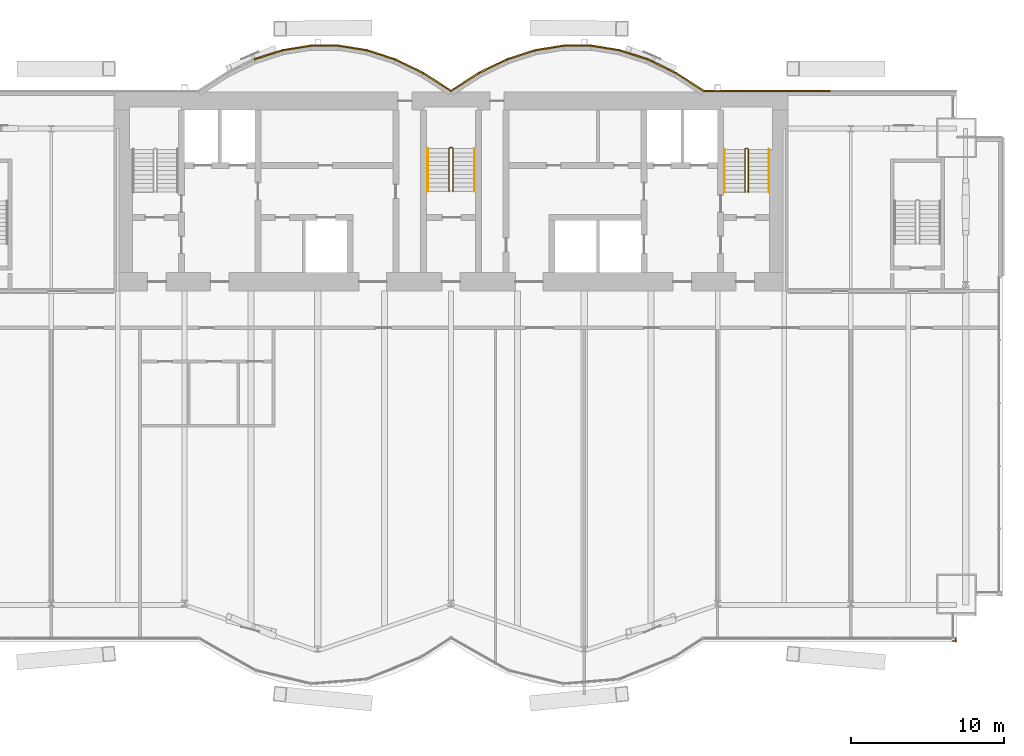
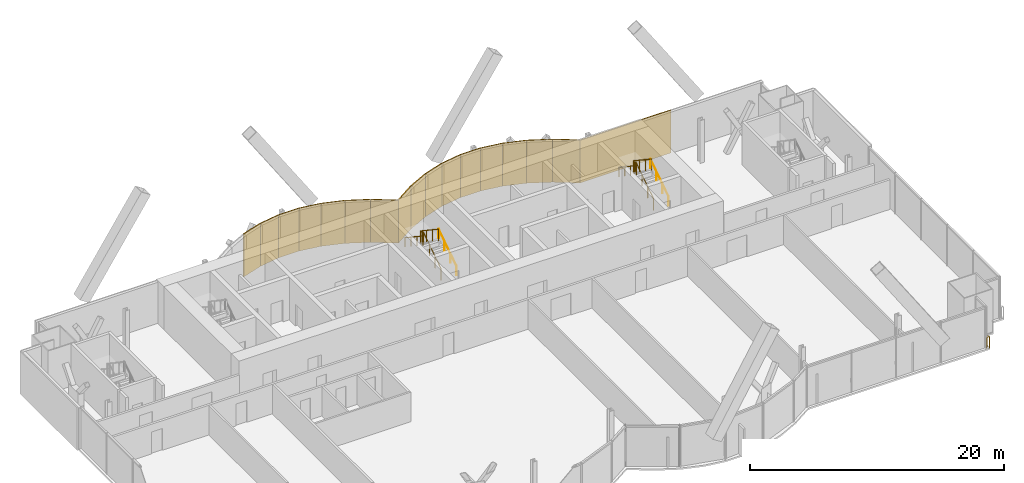
# One storey, part 21 of 22: 17 coverings, 7 railings.
"""IFC4 building model written with IfcOpenShell, lengths in metres."""

import ifcopenshell
import ifcopenshell.guid

model = None  # the IFC model being written
_history = None  # IfcOwnerHistory: only IFC2X3 demands one
_inside = {}  # id of a spatial element -> (the spatial element, [elements in it])
_under = {}  # id of a project, library or spatial element -> (it, [spatial elements below it])
_declared = {}  # id of a project -> (the project, [libraries it declares])
_typed = {}  # id of a type object -> (the type object, [elements of that type])
_made_of = {}  # id of a material, layer set ... -> (it, [elements and type objects made of it])


def new_model(schema):
    """Start an empty IFC model of exactly this schema.

    Asked for "IFC4X3", IfcOpenShell would pick the latest addendum, in which some entities
    have other attributes; the version numbers below select the first issue.
    IFC2X3 requires an IfcOwnerHistory on every rooted entity: one is made here for all.
    """
    global model, _history
    if schema == "IFC4X3":
        model = ifcopenshell.file(schema_version=(4, 3, 0, 0))
    else:
        model = ifcopenshell.file(schema=schema)
    _inside.clear()
    _under.clear()
    _declared.clear()
    _typed.clear()
    _made_of.clear()
    _history = None
    if model.schema == "IFC2X3":
        org = make("IfcOrganization", Name="unknown")
        user = make(
            "IfcPersonAndOrganization",
            ThePerson=make("IfcPerson", FamilyName="unknown"),
            TheOrganization=org,
        )
        app = make(
            "IfcApplication",
            ApplicationDeveloper=org,
            Version="unknown",
            ApplicationFullName="unknown",
            ApplicationIdentifier="unknown",
        )
        _history = make(
            "IfcOwnerHistory",
            OwningUser=user,
            OwningApplication=app,
            ChangeAction="ADDED",
            CreationDate=0,
        )
    return model


def make(cls, **values):
    """One entity of the class cls with the attributes given. An attribute that is None is left unset."""
    return model.create_entity(
        cls, **{name: value for name, value in values.items() if value is not None}
    )


def rooted(cls, **values):
    """An entity with a GlobalId (a new one), such as an element, a storey or a relation."""
    return make(cls, GlobalId=ifcopenshell.guid.new(), OwnerHistory=_history, **values)


def si_unit(unit_type, name, prefix=None):
    """IfcSIUnit, for example si_unit("LENGTHUNIT", "METRE", prefix="MILLI")."""
    return make("IfcSIUnit", UnitType=unit_type, Prefix=prefix, Name=name)


def assignment(units):
    """IfcUnitAssignment: the units of a project."""
    return None if units is None else make("IfcUnitAssignment", Units=units)


def point(xyz):
    """IfcCartesianPoint."""
    return None if xyz is None else make("IfcCartesianPoint", Coordinates=xyz)


def direction(xyz):
    """IfcDirection."""
    return None if xyz is None else make("IfcDirection", DirectionRatios=xyz)


def frame(location, z_axis=None, x_axis=None):
    """IfcAxis2Placement3D, a coordinate frame: its origin and axes. An axis left out is left unset."""
    return make(
        "IfcAxis2Placement3D",
        Location=point(location),
        Axis=direction(z_axis),
        RefDirection=direction(x_axis),
    )


def frame_2d(location, x_axis=None):
    """IfcAxis2Placement2D, a coordinate frame in the plane: its origin and x axis."""
    return make(
        "IfcAxis2Placement2D", Location=point(location), RefDirection=direction(x_axis)
    )


def origin():
    """The frame at (0, 0, 0) with its axes left unset."""
    return frame((0.0, 0.0, 0.0))


def origin_2d():
    """The frame at (0, 0) in the plane with its x axis left unset."""
    return frame_2d((0.0, 0.0))


def place(relative_to, where):
    """IfcLocalPlacement: puts the frame where relative to a parent placement (None: the world)."""
    return make(
        "IfcLocalPlacement", PlacementRelTo=relative_to, RelativePlacement=where
    )


def context(
    kind, dimensions, precision=None, world=None, true_north=None, identifier=None
):
    """IfcGeometricRepresentationContext, for example the 3D "Model" context."""
    return make(
        "IfcGeometricRepresentationContext",
        ContextIdentifier=identifier,
        ContextType=kind,
        CoordinateSpaceDimension=dimensions,
        Precision=precision,
        WorldCoordinateSystem=world,
        TrueNorth=true_north,
    )


def subcontext(parent, identifier, kind, view, scale=None):
    """IfcGeometricRepresentationSubContext, for example "Body" below "Model"."""
    return make(
        "IfcGeometricRepresentationSubContext",
        ContextIdentifier=identifier,
        ContextType=kind,
        ParentContext=parent,
        TargetScale=scale,
        TargetView=view,
    )


def project(units=None, contexts=None):
    """IfcProject with its units and contexts."""
    return rooted(
        "IfcProject",
        Name="project",
        RepresentationContexts=contexts,
        UnitsInContext=assignment(units),
    )


def spatial(cls, under=None, at=None, **own):
    """A site, building, storey or space (cls), placed at a placement, below another one or the project."""
    s = rooted(cls, ObjectPlacement=at, **own)
    if under is not None:
        _under.setdefault(under.id(), (under, []))[1].append(s)
    return s


def profile(cls, at=None, kind="AREA", **sizes):
    """A parametric profile (cls). Its sizes go by their IFC names, for example OverallWidth=200.0."""
    return make(cls, ProfileType=kind, Position=at, **sizes)


def rectangle(**sizes):
    """IfcRectangleProfileDef."""
    return profile("IfcRectangleProfileDef", **sizes)


def circle(**sizes):
    """IfcCircleProfileDef."""
    return profile("IfcCircleProfileDef", **sizes)


def extrude(swept, where, along, depth):
    """IfcExtrudedAreaSolid: the profile swept, set in the frame where, extruded along a direction by depth."""
    return make(
        "IfcExtrudedAreaSolid",
        SweptArea=swept,
        Position=where,
        ExtrudedDirection=direction(along),
        Depth=depth,
    )


def shape(context_of_items, identifier, shape_type, items):
    """IfcShapeRepresentation: the items that make up one representation, for example the "Body"."""
    return make(
        "IfcShapeRepresentation",
        ContextOfItems=context_of_items,
        RepresentationIdentifier=identifier,
        RepresentationType=shape_type,
        Items=items,
    )


def material(Name=None, Category=None):
    """IfcMaterial."""
    return make("IfcMaterial", Name=Name, Category=Category)


def layer(
    of_material, thickness, ventilated=None, Name=None, Category=None, Priority=None
):
    """IfcMaterialLayer: one layer of a wall or slab, of a material (None: an air gap)."""
    return make(
        "IfcMaterialLayer",
        Material=of_material,
        LayerThickness=thickness,
        IsVentilated=ventilated,
        Name=Name,
        Category=Category,
        Priority=Priority,
    )


def layer_set(layers, Name=None):
    """IfcMaterialLayerSet."""
    return make("IfcMaterialLayerSet", MaterialLayers=layers, LayerSetName=Name)


def made_of(thing, what):
    """Note that an element or type object is made of a material, layer set ...; save() writes the relation."""
    if what is not None:
        _made_of.setdefault(what.id(), (what, []))[1].append(thing)
    return thing


def type_object(cls, material=None, **own):
    """A type object (cls), such as IfcWallType, which elements share."""
    return made_of(rooted(cls, **own), material)


def element(
    cls,
    number,
    at=None,
    inside=None,
    cuts=None,
    type_object=None,
    material=None,
    context=None,
    identifier="Body",
    shape_type=None,
    held_by="IfcProductDefinitionShape",
    body=None,
    shapes=None,
    **own,
):
    """One element of the class cls, such as IfcWall. Its Tag is "e" and its number.

    at: its placement. inside: the storey or other place that contains it. cuts: it is an
    opening in that element (IfcRelVoidsElement). A single representation is given by context,
    identifier, shape_type and body (its items); several are given by shapes. held_by: the class
    of the entity that holds the representations. save() writes the other relations.
    """
    e = rooted(cls, Tag="e%d" % number, ObjectPlacement=at, **own)
    if body is not None:
        shapes = [shape(context, identifier, shape_type, body)]
    if shapes is not None:
        e.Representation = make(held_by, Representations=shapes)
    if inside is not None:
        _inside.setdefault(inside.id(), (inside, []))[1].append(e)
    if cuts is not None:
        rooted(
            "IfcRelVoidsElement", RelatingBuildingElement=cuts, RelatedOpeningElement=e
        )
    if type_object is not None:
        _typed.setdefault(type_object.id(), (type_object, []))[1].append(e)
    return made_of(e, material)


def aggregate(whole, parts):
    """IfcRelAggregates: a whole, such as a stair, and the parts it consists of."""
    return rooted("IfcRelAggregates", RelatingObject=whole, RelatedObjects=parts)


def save(model, path):
    """Write the relations noted so far, then the file.

    IfcRelAggregates (storeys below a building ...), IfcRelContainedInSpatialStructure (elements
    in a storey), IfcRelDefinesByType, IfcRelAssociatesMaterial and IfcRelDeclares: one each for
    every whole, place, type object, material and project.
    """
    for whole, parts in _under.values():
        aggregate(whole, parts)
    for where, things in _inside.values():
        rooted(
            "IfcRelContainedInSpatialStructure",
            RelatedElements=things,
            RelatingStructure=where,
        )
    for kind, things in _typed.values():
        rooted("IfcRelDefinesByType", RelatedObjects=things, RelatingType=kind)
    for what, things in _made_of.values():
        rooted("IfcRelAssociatesMaterial", RelatedObjects=things, RelatingMaterial=what)
    for by, libraries in _declared.values():
        rooted("IfcRelDeclares", RelatingContext=by, RelatedDefinitions=libraries)
    model.write(path)


model = new_model("IFC4")

# Units and contexts
model_context = context("Model", 3, precision=1e-05, world=origin(), true_north=direction((0.0, 1.0)))
body_context = subcontext(model_context, "Body", "Model", "MODEL_VIEW")
ifc_project = project(units=[si_unit("LENGTHUNIT", "METRE"), si_unit("AREAUNIT", "SQUARE_METRE"), si_unit("VOLUMEUNIT", "CUBIC_METRE"), si_unit("PLANEANGLEUNIT", "RADIAN"), si_unit("MASSUNIT", "GRAM", prefix="KILO")], contexts=[model_context])

# Site, building, storey
site_placement = place(None, origin())
site = spatial("IfcSite", under=ifc_project, at=site_placement, CompositionType="ELEMENT")
building_placement = place(site_placement, origin())
building = spatial("IfcBuilding", under=site, at=building_placement, Name="Bicima Exchange Tower", CompositionType="ELEMENT")
storey_placement = place(building_placement, frame((0.0, 0.0, 144.5)))
storey = spatial("IfcBuildingStorey", under=building, at=storey_placement, Name="L31", CompositionType="ELEMENT", Elevation=144.5)

# Coverings
ifc_material_1 = material(Name="Bronze metal cladding")
ifc_layer_1 = layer(ifc_material_1, 0.004)
ifc_material_2 = material(Name="Ventilated cavity")
ifc_layer_2 = layer(ifc_material_2, 0.06)
ifc_material_3 = material(Name="Galvanised steel rail and mineral wool", Category="steel")
ifc_layer_3 = layer(ifc_material_3, 0.036)
ifc_layer_set = layer_set([ifc_layer_1, ifc_layer_2, ifc_layer_3], Name="Ventilated cavity")
covering_type = type_object("IfcCoveringType", Name="Bronze metal cladding panel 100", PredefinedType="CLADDING", material=ifc_layer_set)
covering_1_placement = place(storey_placement, frame((20.625, 0.050048828125, -0.150146484375), z_axis=(0.0, 0.0, 1.0), x_axis=(-1.0, 0.0, 0.0)))
element("IfcCovering", 1, at=covering_1_placement, inside=storey, type_object=covering_type, Name="Bronze cladding L31 1.2", PredefinedType="CLADDING", context=body_context, shape_type="SweptSolid", body=[
    extrude(rectangle(XDim=8.25, YDim=0.10009765625, at=origin_2d()), origin(), (0.0, 0.0, 1.0), 4.10009765625),
])
covering_2_placement = place(storey_placement, frame((15.610595703125, 0.634521484375, -0.150146484375), z_axis=(0.0, 0.0, 1.0), x_axis=(-0.839790466384, 0.542910648791, 0.0)))
element("IfcCovering", 2, at=covering_2_placement, inside=storey, type_object=covering_type, Name="Bronze cladding L31 2.1", PredefinedType="CLADDING", context=body_context, shape_type="SweptSolid", body=[
    extrude(rectangle(XDim=2.18310546875, YDim=0.10009765625, at=origin_2d()), origin(), (0.0, 0.0, 1.0), 4.10009765625),
])
covering_3_placement = place(storey_placement, frame((13.771728515625, 1.674560546875, -0.150146484375), z_axis=(0.0, 0.0, 1.0), x_axis=(-0.899818346812, 0.436264762204, 0.0)))
element("IfcCovering", 3, at=covering_3_placement, inside=storey, type_object=covering_type, Name="Bronze cladding L31 3.1", PredefinedType="CLADDING", context=body_context, shape_type="SweptSolid", body=[
    extrude(rectangle(XDim=2.03759765625, YDim=0.10009765625, at=origin_2d()), origin(), (0.0, 0.0, 1.0), 4.10009765625),
])
covering_4_placement = place(storey_placement, frame((11.931884765625, 2.41796875, -0.150146484375), z_axis=(0.0, 0.0, 1.0), x_axis=(-0.951524642381, 0.307572519808, 0.0)))
element("IfcCovering", 4, at=covering_4_placement, inside=storey, type_object=covering_type, Name="Bronze cladding L31 4.1", PredefinedType="CLADDING", context=body_context, shape_type="SweptSolid", body=[
    extrude(rectangle(XDim=1.9267578125, YDim=0.10009765625, at=origin_2d()), origin(), (0.0, 0.0, 1.0), 4.10009765625),
])
covering_5_placement = place(storey_placement, frame((10.09130859375, 2.8642578125, -0.150146484375), z_axis=(0.0, 0.0, 1.0), x_axis=(-0.987189786347, 0.159550386184, 0.0)))
element("IfcCovering", 5, at=covering_5_placement, inside=storey, type_object=covering_type, Name="Bronze cladding L31 5.1", PredefinedType="CLADDING", context=body_context, shape_type="SweptSolid", body=[
    extrude(rectangle(XDim=1.857177734375, YDim=0.10009765625, at=origin_2d()), origin(), (0.0, 0.0, 1.0), 4.10009765625),
])
covering_6_placement = place(storey_placement, frame((8.25, 3.012939453125, -0.150146484375), z_axis=(0.0, 0.0, 1.0), x_axis=(-1.0, 0.0, 0.0)))
element("IfcCovering", 6, at=covering_6_placement, inside=storey, type_object=covering_type, Name="Bronze cladding L31 6.1", PredefinedType="CLADDING", context=body_context, shape_type="SweptSolid", body=[
    extrude(rectangle(XDim=1.83349609375, YDim=0.10009765625, at=origin_2d()), origin(), (0.0, 0.0, 1.0), 4.10009765625),
])
covering_7_placement = place(storey_placement, frame((6.40869140625, 2.8642578125, -0.150146484375), z_axis=(0.0, 0.0, 1.0), x_axis=(-0.987189786347, -0.159550386184, 0.0)))
element("IfcCovering", 7, at=covering_7_placement, inside=storey, type_object=covering_type, Name="Bronze cladding L31 7.1", PredefinedType="CLADDING", context=body_context, shape_type="SweptSolid", body=[
    extrude(rectangle(XDim=1.857177734375, YDim=0.10009765625, at=origin_2d()), origin(), (0.0, 0.0, 1.0), 4.10009765625),
])
covering_8_placement = place(storey_placement, frame((4.568115234375, 2.41796875, -0.150146484375), z_axis=(0.0, 0.0, 1.0), x_axis=(-0.951524642381, -0.307572519808, 0.0)))
element("IfcCovering", 8, at=covering_8_placement, inside=storey, type_object=covering_type, Name="Bronze cladding L31 8.1", PredefinedType="CLADDING", context=body_context, shape_type="SweptSolid", body=[
    extrude(rectangle(XDim=1.9267578125, YDim=0.10009765625, at=origin_2d()), origin(), (0.0, 0.0, 1.0), 4.10009765625),
])
covering_9_placement = place(storey_placement, frame((2.728271484375, 1.674560546875, -0.150146484375), z_axis=(0.0, 0.0, 1.0), x_axis=(-0.899818346812, -0.436264762204, 0.0)))
element("IfcCovering", 9, at=covering_9_placement, inside=storey, type_object=covering_type, Name="Bronze cladding L31 9.1", PredefinedType="CLADDING", context=body_context, shape_type="SweptSolid", body=[
    extrude(rectangle(XDim=2.03759765625, YDim=0.10009765625, at=origin_2d()), origin(), (0.0, 0.0, 1.0), 4.10009765625),
])
for number, where, z_axis, x_axis, name in (
    (10, (0.889404296875, 0.634521484375, -0.150146484375), (0.0, 0.0, 1.0), (-0.839790466384, -0.542910648791, 0.0), "Bronze cladding L31 10.1"),
    (11, (-0.889404296875, 0.634521484375, -0.150146484375), (0.0, 0.0, 1.0), (-0.839790466384, 0.542910648791, 0.0), "Bronze cladding L31 11.1"),
):
    element("IfcCovering", number, at=place(storey_placement, frame(where, z_axis=z_axis, x_axis=x_axis)), inside=storey, type_object=covering_type, Name=name, PredefinedType="CLADDING", context=body_context, shape_type="SweptSolid", body=[
        extrude(rectangle(XDim=2.18310546875, YDim=0.10009765625, at=origin_2d()), origin(), (0.0, 0.0, 1.0), 4.10009765625),
    ])
covering_10_placement = place(storey_placement, frame((-2.728271484375, 1.674560546875, -0.150146484375), z_axis=(0.0, 0.0, 1.0), x_axis=(-0.899818346812, 0.436264762204, 0.0)))
element("IfcCovering", 12, at=covering_10_placement, inside=storey, type_object=covering_type, Name="Bronze cladding L31 12.1", PredefinedType="CLADDING", context=body_context, shape_type="SweptSolid", body=[
    extrude(rectangle(XDim=2.03759765625, YDim=0.10009765625, at=origin_2d()), origin(), (0.0, 0.0, 1.0), 4.10009765625),
])
covering_11_placement = place(storey_placement, frame((-4.568115234375, 2.41796875, -0.150146484375), z_axis=(0.0, 0.0, 1.0), x_axis=(-0.951524642381, 0.307572519808, 0.0)))
element("IfcCovering", 13, at=covering_11_placement, inside=storey, type_object=covering_type, Name="Bronze cladding L31 13.1", PredefinedType="CLADDING", context=body_context, shape_type="SweptSolid", body=[
    extrude(rectangle(XDim=1.9267578125, YDim=0.10009765625, at=origin_2d()), origin(), (0.0, 0.0, 1.0), 4.10009765625),
])
covering_12_placement = place(storey_placement, frame((-6.40869140625, 2.8642578125, -0.150146484375), z_axis=(0.0, 0.0, 1.0), x_axis=(-0.987189786347, 0.159550386184, 0.0)))
element("IfcCovering", 14, at=covering_12_placement, inside=storey, type_object=covering_type, Name="Bronze cladding L31 14.1", PredefinedType="CLADDING", context=body_context, shape_type="SweptSolid", body=[
    extrude(rectangle(XDim=1.857177734375, YDim=0.10009765625, at=origin_2d()), origin(), (0.0, 0.0, 1.0), 4.10009765625),
])
covering_13_placement = place(storey_placement, frame((-8.25, 3.012939453125, -0.150146484375), z_axis=(0.0, 0.0, 1.0), x_axis=(-1.0, 0.0, 0.0)))
element("IfcCovering", 15, at=covering_13_placement, inside=storey, type_object=covering_type, Name="Bronze cladding L31 15.1", PredefinedType="CLADDING", context=body_context, shape_type="SweptSolid", body=[
    extrude(rectangle(XDim=1.83349609375, YDim=0.10009765625, at=origin_2d()), origin(), (0.0, 0.0, 1.0), 4.10009765625),
])
covering_14_placement = place(storey_placement, frame((-10.09130859375, 2.8642578125, -0.150146484375), z_axis=(0.0, 0.0, 1.0), x_axis=(-0.987189786347, -0.159550386184, 0.0)))
element("IfcCovering", 16, at=covering_14_placement, inside=storey, type_object=covering_type, Name="Bronze cladding L31 16.1", PredefinedType="CLADDING", context=body_context, shape_type="SweptSolid", body=[
    extrude(rectangle(XDim=1.857177734375, YDim=0.10009765625, at=origin_2d()), origin(), (0.0, 0.0, 1.0), 4.10009765625),
])
covering_15_placement = place(storey_placement, frame((-11.931884765625, 2.41796875, -0.150146484375), z_axis=(0.0, 0.0, 1.0), x_axis=(-0.951524642381, -0.307572519808, 0.0)))
element("IfcCovering", 17, at=covering_15_placement, inside=storey, type_object=covering_type, Name="Bronze cladding L31 17.1", PredefinedType="CLADDING", context=body_context, shape_type="SweptSolid", body=[
    extrude(rectangle(XDim=1.9267578125, YDim=0.10009765625, at=origin_2d()), origin(), (0.0, 0.0, 1.0), 4.10009765625),
])

# Railings
ifc_material_4 = material(Name="Stainless steel and bonded safety glass", Category="steel")
railing_type_1 = type_object("IfcRailingType", Name="Edge guard 1100", PredefinedType="GUARDRAIL", material=ifc_material_4)
railing_1_placement = place(storey_placement, frame((32.949951171875, -35.656982421875, 0.0)))
element("IfcRailing", 18, at=railing_1_placement, inside=storey, type_object=railing_type_1, Name="Edge guard L31 152", PredefinedType="GUARDRAIL", context=body_context, shape_type="SweptSolid", body=[
    extrude(circle(Radius=0.02392578125, at=origin_2d()), frame((0.0, 0.0, 1.076171875), z_axis=(0.0, -1.0, 0.0), x_axis=(1.0, 0.0, 0.0)), (0.0, 0.0, 1.0), 0.242919921875),
    extrude(circle(Radius=0.02392578125, at=origin_2d()), frame((0.0, -0.242919921875, 1.076171875), z_axis=(0.708833529934, 0.705375805398, 0.0), x_axis=(-0.705375805398, 0.708833529934, 0.0)), (0.0, 0.0, 1.0), 0.070556640625),
    extrude(circle(Radius=0.02392578125, at=origin_2d()), frame((0.050048828125, -0.193115234375, 1.076171875), z_axis=(-1.0, 0.0, 0.0), x_axis=(0.0, -1.0, 0.0)), (0.0, 0.0, 1.0), 0.25),
    extrude(circle(Radius=0.02099609375, at=origin_2d()), origin(), (0.0, 0.0, 1.0), 1.052001953125),
    extrude(circle(Radius=0.02099609375, at=origin_2d()), frame((0.0, -0.242919921875, 0.0)), (0.0, 0.0, 1.0), 1.052001953125),
    extrude(circle(Radius=0.02099609375, at=origin_2d()), frame((0.050048828125, -0.193115234375, 0.0)), (0.0, 0.0, 1.0), 1.052001953125),
    extrude(circle(Radius=0.02099609375, at=origin_2d()), frame((-0.199951171875, -0.193115234375, 0.0)), (0.0, 0.0, 1.0), 1.052001953125),
])
ifc_material_5 = material(Name="Stainless steel", Category="steel")
railing_type_2 = type_object("IfcRailingType", Name="Stair guard 1100", PredefinedType="GUARDRAIL", material=ifc_material_5)
railing_2_placement = place(storey_placement, frame((0.125, -6.5, 0.186279296875)))
element("IfcRailing", 19, at=railing_2_placement, inside=storey, type_object=railing_type_2, Name="L31 ST-C stair guard 1", PredefinedType="GUARDRAIL", context=body_context, shape_type="SweptSolid", body=[
    extrude(circle(Radius=0.02392578125, at=origin_2d()), frame((0.0, 0.0, 1.076171875), z_axis=(0.0, 0.832452072856, 0.554097055034), x_axis=(-1.0, 0.0, 0.0)), (0.0, 0.0, 1.0), 3.363525390625),
    extrude(circle(Radius=0.02392578125, at=origin_2d()), frame((0.0, 2.800048828125, 2.93994140625), z_axis=(-0.707106781187, 0.707106781187, 0.0), x_axis=(-0.707106781187, -0.707106781187, 0.0)), (0.0, 0.0, 1.0), 0.07080078125),
    extrude(circle(Radius=0.02392578125, at=origin_2d()), frame((-0.050048828125, 2.85009765625, 2.93994140625), z_axis=(-1.0, 0.0, 0.0), x_axis=(0.0, -1.0, 0.0)), (0.0, 0.0, 1.0), 0.14990234375),
    extrude(circle(Radius=0.02392578125, at=origin_2d()), frame((-0.199951171875, 2.85009765625, 2.93994140625), z_axis=(-0.251157038772, -0.251157038772, 0.934794246747), x_axis=(0.707106781187, -0.707106781187, 0.0)), (0.0, 0.0, 1.0), 0.19921875),
    extrude(circle(Radius=0.02392578125, at=origin_2d()), frame((-0.25, 2.800048828125, 3.1259765625), z_axis=(0.0, -0.832452072856, 0.554097055034), x_axis=(1.0, 0.0, 0.0)), (0.0, 0.0, 1.0), 3.363525390625),
    extrude(circle(Radius=0.02099609375, at=origin_2d()), origin(), (0.0, 0.0, 1.0), 1.052001953125),
    extrude(circle(Radius=0.02099609375, at=origin_2d()), frame((0.0, 0.933349609375, 0.621337890625)), (0.0, 0.0, 1.0), 1.052001953125),
    extrude(circle(Radius=0.02099609375, at=origin_2d()), frame((0.0, 1.86669921875, 1.242431640625)), (0.0, 0.0, 1.0), 1.052001953125),
    extrude(circle(Radius=0.02099609375, at=origin_2d()), frame((0.0, 2.800048828125, 1.86376953125)), (0.0, 0.0, 1.0), 1.052001953125),
    extrude(circle(Radius=0.02099609375, at=origin_2d()), frame((-0.050048828125, 2.85009765625, 1.86376953125)), (0.0, 0.0, 1.0), 1.052001953125),
    extrude(circle(Radius=0.02099609375, at=origin_2d()), frame((-0.199951171875, 2.85009765625, 1.86376953125)), (0.0, 0.0, 1.0), 1.052001953125),
    extrude(circle(Radius=0.02099609375, at=origin_2d()), frame((-0.25, 2.800048828125, 2.050048828125)), (0.0, 0.0, 1.0), 1.052001953125),
    extrude(circle(Radius=0.02099609375, at=origin_2d()), frame((-0.25, 1.86669921875, 2.67138671875)), (0.0, 0.0, 1.0), 1.052001953125),
    extrude(circle(Radius=0.02099609375, at=origin_2d()), frame((-0.25, 0.933349609375, 3.29248046875)), (0.0, 0.0, 1.0), 1.052001953125),
    extrude(circle(Radius=0.02099609375, at=origin_2d()), frame((-0.25, 0.0, 3.913818359375)), (0.0, 0.0, 1.0), 1.052001953125),
])
railing_3_placement = place(storey_placement, frame((19.39990234375, -6.550048828125, 0.186279296875)))
element("IfcRailing", 20, at=railing_3_placement, inside=storey, type_object=railing_type_2, Name="L31 ST-E stair guard 1", PredefinedType="GUARDRAIL", context=body_context, shape_type="SweptSolid", body=[
    extrude(circle(Radius=0.02392578125, at=origin_2d()), frame((0.0, 0.0, 1.076171875), z_axis=(0.0, 0.832452072856, 0.554097055034), x_axis=(-1.0, 0.0, 0.0)), (0.0, 0.0, 1.0), 3.363525390625),
    extrude(circle(Radius=0.02392578125, at=origin_2d()), frame((0.0, 2.800048828125, 2.93994140625), z_axis=(-0.705375805398, 0.708833529934, 0.0), x_axis=(-0.708833529934, -0.705375805398, 0.0)), (0.0, 0.0, 1.0), 0.070556640625),
    extrude(circle(Radius=0.02392578125, at=origin_2d()), frame((-0.0498046875, 2.85009765625, 2.93994140625), z_axis=(-1.0, 0.0, 0.0), x_axis=(0.0, -1.0, 0.0)), (0.0, 0.0, 1.0), 0.10009765625),
    extrude(circle(Radius=0.02392578125, at=origin_2d()), frame((-0.14990234375, 2.85009765625, 2.93994140625), z_axis=(-0.251157038772, -0.251157038772, 0.934794246747), x_axis=(0.707106781187, -0.707106781187, 0.0)), (0.0, 0.0, 1.0), 0.19921875),
    extrude(circle(Radius=0.02392578125, at=origin_2d()), frame((-0.199951171875, 2.800048828125, 3.1259765625), z_axis=(0.0, -0.832452072856, 0.554097055034), x_axis=(1.0, 0.0, 0.0)), (0.0, 0.0, 1.0), 3.363525390625),
    extrude(circle(Radius=0.02099609375, at=origin_2d()), origin(), (0.0, 0.0, 1.0), 1.052001953125),
    extrude(circle(Radius=0.02099609375, at=origin_2d()), frame((0.0, 0.933349609375, 0.621337890625)), (0.0, 0.0, 1.0), 1.052001953125),
    extrude(circle(Radius=0.02099609375, at=origin_2d()), frame((0.0, 1.86669921875, 1.242431640625)), (0.0, 0.0, 1.0), 1.052001953125),
    extrude(circle(Radius=0.02099609375, at=origin_2d()), frame((0.0, 2.800048828125, 1.86376953125)), (0.0, 0.0, 1.0), 1.052001953125),
    extrude(circle(Radius=0.02099609375, at=origin_2d()), frame((-0.0498046875, 2.85009765625, 1.86376953125)), (0.0, 0.0, 1.0), 1.052001953125),
    extrude(circle(Radius=0.02099609375, at=origin_2d()), frame((-0.14990234375, 2.85009765625, 1.86376953125)), (0.0, 0.0, 1.0), 1.052001953125),
    extrude(circle(Radius=0.02099609375, at=origin_2d()), frame((-0.199951171875, 2.800048828125, 2.050048828125)), (0.0, 0.0, 1.0), 1.052001953125),
    extrude(circle(Radius=0.02099609375, at=origin_2d()), frame((-0.199951171875, 1.86669921875, 2.67138671875)), (0.0, 0.0, 1.0), 1.052001953125),
    extrude(circle(Radius=0.02099609375, at=origin_2d()), frame((-0.199951171875, 0.933349609375, 3.29248046875)), (0.0, 0.0, 1.0), 1.052001953125),
    extrude(circle(Radius=0.02099609375, at=origin_2d()), frame((-0.199951171875, 0.0, 3.913818359375)), (0.0, 0.0, 1.0), 1.052001953125),
])
railing_type_3 = type_object("IfcRailingType", Name="Stair handrail 900", PredefinedType="HANDRAIL", material=ifc_material_5)
railing_4_placement = place(storey_placement, frame((1.52490234375, -6.5, 0.186279296875)))
element("IfcRailing", 21, at=railing_4_placement, inside=storey, type_object=railing_type_3, Name="L31 ST-C stair handrail 1", PredefinedType="HANDRAIL", context=body_context, shape_type="SweptSolid", body=[
    extrude(circle(Radius=0.02392578125, at=origin_2d()), frame((0.0, 0.0, 0.8759765625), z_axis=(0.0, 0.832452072856, 0.554097055034), x_axis=(-1.0, 0.0, 0.0)), (0.0, 0.0, 1.0), 3.363525390625),
    extrude(circle(Radius=0.02099609375, at=origin_2d()), origin(), (0.0, 0.0, 1.0), 0.851806640625),
    extrude(circle(Radius=0.02099609375, at=origin_2d()), frame((0.0, 0.933349609375, 0.621337890625)), (0.0, 0.0, 1.0), 0.851806640625),
    extrude(circle(Radius=0.02099609375, at=origin_2d()), frame((0.0, 1.86669921875, 1.242431640625)), (0.0, 0.0, 1.0), 0.851806640625),
    extrude(circle(Radius=0.02099609375, at=origin_2d()), frame((0.0, 2.800048828125, 1.86376953125)), (0.0, 0.0, 1.0), 0.851806640625),
])
railing_5_placement = place(storey_placement, frame((-1.52490234375, -3.699951171875, 2.27685546875)))
element("IfcRailing", 22, at=railing_5_placement, inside=storey, type_object=railing_type_3, Name="L31 ST-C stair handrail 2", PredefinedType="HANDRAIL", context=body_context, shape_type="SweptSolid", body=[
    extrude(circle(Radius=0.02392578125, at=origin_2d()), frame((0.0, 0.0, 0.8759765625), z_axis=(0.0, -0.832485552168, 0.554046753832), x_axis=(1.0, 0.0, 0.0)), (0.0, 0.0, 1.0), 3.363525390625),
    extrude(circle(Radius=0.02099609375, at=origin_2d()), origin(), (0.0, 0.0, 1.0), 0.851806640625),
    extrude(circle(Radius=0.02099609375, at=origin_2d()), frame((0.0, -0.933349609375, 0.62109375)), (0.0, 0.0, 1.0), 0.851806640625),
    extrude(circle(Radius=0.02099609375, at=origin_2d()), frame((0.0, -1.86669921875, 1.242431640625)), (0.0, 0.0, 1.0), 0.851806640625),
    extrude(circle(Radius=0.02099609375, at=origin_2d()), frame((0.0, -2.800048828125, 1.863525390625)), (0.0, 0.0, 1.0), 0.851806640625),
])
railing_6_placement = place(storey_placement, frame((20.75, -6.550048828125, 0.186279296875)))
element("IfcRailing", 23, at=railing_6_placement, inside=storey, type_object=railing_type_3, Name="L31 ST-E stair handrail 1", PredefinedType="HANDRAIL", context=body_context, shape_type="SweptSolid", body=[
    extrude(circle(Radius=0.02392578125, at=origin_2d()), frame((0.0, 0.0, 0.8759765625), z_axis=(0.0, 0.832452072856, 0.554097055034), x_axis=(-1.0, 0.0, 0.0)), (0.0, 0.0, 1.0), 3.363525390625),
    extrude(circle(Radius=0.02099609375, at=origin_2d()), origin(), (0.0, 0.0, 1.0), 0.851806640625),
    extrude(circle(Radius=0.02099609375, at=origin_2d()), frame((0.0, 0.933349609375, 0.621337890625)), (0.0, 0.0, 1.0), 0.851806640625),
    extrude(circle(Radius=0.02099609375, at=origin_2d()), frame((0.0, 1.86669921875, 1.242431640625)), (0.0, 0.0, 1.0), 0.851806640625),
    extrude(circle(Radius=0.02099609375, at=origin_2d()), frame((0.0, 2.800048828125, 1.86376953125)), (0.0, 0.0, 1.0), 0.851806640625),
])
railing_7_placement = place(storey_placement, frame((17.85009765625, -3.75, 2.27685546875)))
element("IfcRailing", 24, at=railing_7_placement, inside=storey, type_object=railing_type_3, Name="L31 ST-E stair handrail 2", PredefinedType="HANDRAIL", context=body_context, shape_type="SweptSolid", body=[
    extrude(circle(Radius=0.02392578125, at=origin_2d()), frame((0.0, 0.0, 0.8759765625), z_axis=(0.0, -0.832485552168, 0.554046753832), x_axis=(1.0, 0.0, 0.0)), (0.0, 0.0, 1.0), 3.363525390625),
    extrude(circle(Radius=0.02099609375, at=origin_2d()), origin(), (0.0, 0.0, 1.0), 0.851806640625),
    extrude(circle(Radius=0.02099609375, at=origin_2d()), frame((0.0, -0.933349609375, 0.62109375)), (0.0, 0.0, 1.0), 0.851806640625),
    extrude(circle(Radius=0.02099609375, at=origin_2d()), frame((0.0, -1.86669921875, 1.242431640625)), (0.0, 0.0, 1.0), 0.851806640625),
    extrude(circle(Radius=0.02099609375, at=origin_2d()), frame((0.0, -2.800048828125, 1.863525390625)), (0.0, 0.0, 1.0), 0.851806640625),
])

save(model, "model.ifc")
